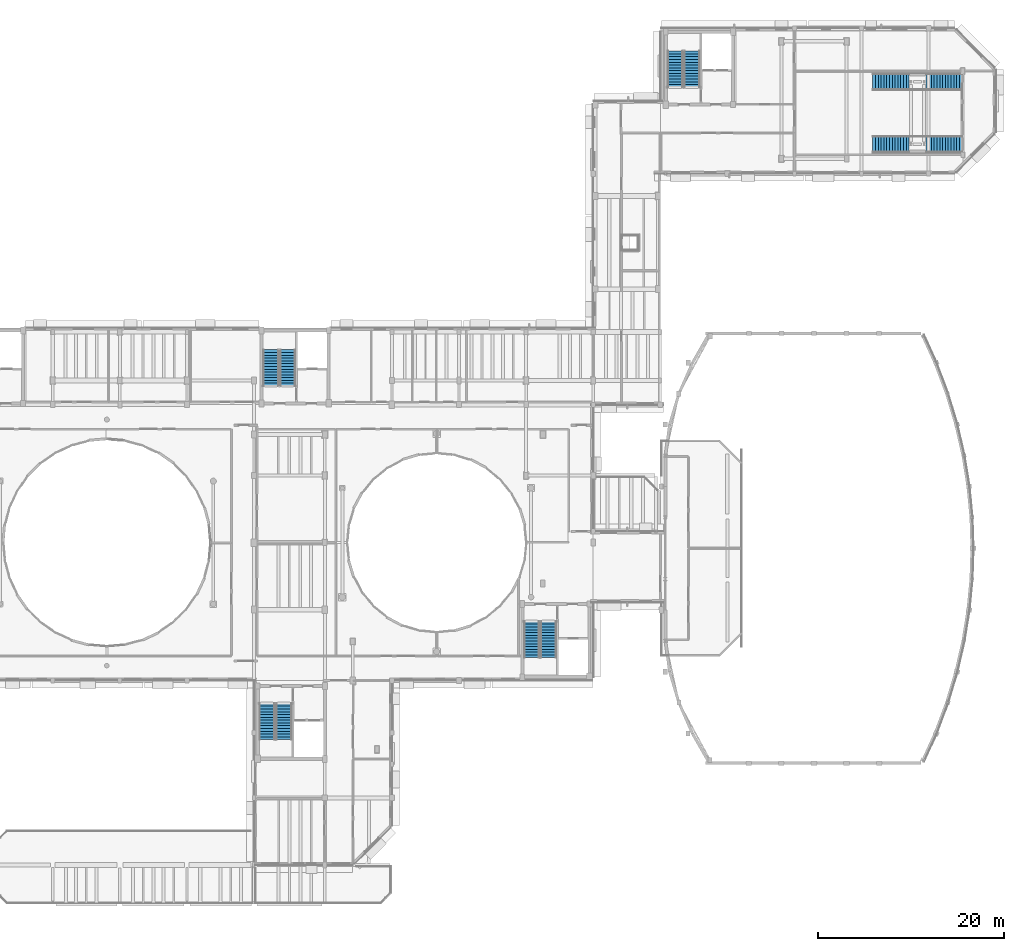
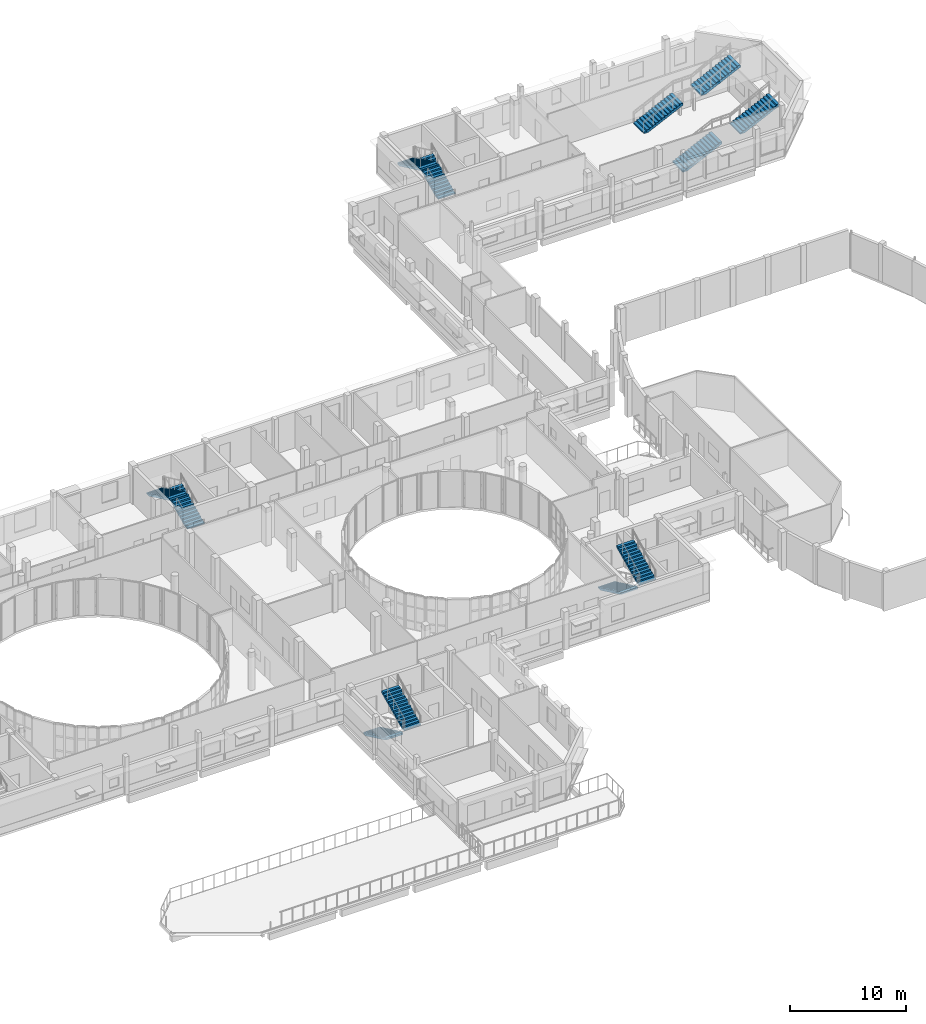
# One storey, part 77 of 92: 12 stair flights, 6 elements without a shape of their own.
"""IFC4 building model written with IfcOpenShell, lengths in metres."""

from ifc_helpers import new_model, si_unit, direction, frame, origin, place, context, subcontext, project, spatial, polyline, outline, extrude, material, type_object, element, aggregate, save


model = new_model("IFC4")

# Units and contexts
model_context = context("Model", 3, precision=1e-05, world=origin(), true_north=direction((0.0, 1.0)))
body_context = subcontext(model_context, "Body", "Model", "MODEL_VIEW")
ifc_project = project(units=[si_unit("LENGTHUNIT", "METRE"), si_unit("AREAUNIT", "SQUARE_METRE"), si_unit("VOLUMEUNIT", "CUBIC_METRE"), si_unit("PLANEANGLEUNIT", "RADIAN"), si_unit("MASSUNIT", "GRAM", prefix="KILO")], contexts=[model_context])

# Site, building, storey
site_placement = place(None, origin())
site = spatial("IfcSite", under=ifc_project, at=site_placement, CompositionType="ELEMENT")
building_placement = place(site_placement, origin())
building = spatial("IfcBuilding", under=site, at=building_placement, Name="Kelanivale Promenade Academy", CompositionType="ELEMENT")
storey_placement = place(building_placement, frame((0.0, 0.0, 8.199951171875)))
storey = spatial("IfcBuildingStorey", under=building, at=storey_placement, Name="L02", CompositionType="ELEMENT", Elevation=8.199951171875)

# Stair, stair flight
ifc_material = material(Name="Concrete C35/45", Category="concrete")
stair_type_1 = type_object("IfcStairType", Name="ST-T02 Protected dog-leg upper-storey stair", PredefinedType="HALF_TURN_STAIR", material=ifc_material)
stair_1_placement = place(storey_placement, origin())
stair_1 = element("IfcStair", 1, at=stair_1_placement, inside=storey, type_object=stair_type_1, Name="L02 ST-01", PredefinedType="HALF_TURN_STAIR")
stair_flight_type_1 = type_object("IfcStairFlightType", Name="SF-T03 Core stair RC flight 14 risers x 142", PredefinedType="STRAIGHT", material=ifc_material)
stair_flight_1_placement = place(storey_placement, frame((80.610107421875, 39.544921875, 0.0), z_axis=(0.0, 0.0, 1.0), x_axis=(0.0, -1.0, 0.0)))
stair_flight_1 = element("IfcStairFlight", 2, at=stair_flight_1_placement, type_object=stair_flight_type_1, Name="ST-01 flight 1", NumberOfRisers=14, NumberOfTreads=13, PredefinedType="STRAIGHT", RiserHeight=0.142857143, TreadLength=0.3, context=body_context, shape_type="SweptSolid", body=[
    extrude(outline(polyline([(0.0, 0.0), (0.0, 0.142822265625), (0.300048828125, 0.142822265625), (0.300048828125, 0.28564453125), (0.60009765625, 0.28564453125), (0.60009765625, 0.428466796875), (0.89990234375, 0.428466796875), (0.89990234375, 0.571533203125), (1.199951171875, 0.571533203125), (1.199951171875, 0.71435546875), (1.5, 0.71435546875), (1.5, 0.857177734375), (1.800048828125, 0.857177734375), (1.800048828125, 1.0), (2.10009765625, 1.0), (2.10009765625, 1.142822265625), (2.39990234375, 1.142822265625), (2.39990234375, 1.28564453125), (2.699951171875, 1.28564453125), (2.699951171875, 1.428466796875), (3.0, 1.428466796875), (3.0, 1.571533203125), (3.300048828125, 1.571533203125), (3.300048828125, 1.71435546875), (3.60009765625, 1.71435546875), (3.60009765625, 1.857177734375), (3.89990234375, 1.857177734375), (3.89990234375, 2.0), (3.89990234375, 1.657958984375), (0.41845703125, 0.0), (0.0, 0.0)])), frame((0.0, 0.844970703125, 0.0), z_axis=(0.0, -1.0, 0.0), x_axis=(1.0, 0.0, 0.0)), (0.0, 0.0, 1.0), 1.68994140625),
])

stair_2_placement = place(storey_placement, origin())
stair_2 = element("IfcStair", 3, at=stair_2_placement, inside=storey, type_object=stair_type_1, Name="L02 ST-02", PredefinedType="HALF_TURN_STAIR")
stair_flight_2_placement = place(storey_placement, frame((82.820068359375, 73.60498046875, 0.0), z_axis=(0.0, 0.0, 1.0), x_axis=(0.0, 1.0, 0.0)))
stair_flight_2 = element("IfcStairFlight", 4, at=stair_flight_2_placement, type_object=stair_flight_type_1, Name="ST-02 flight 1", NumberOfRisers=14, NumberOfTreads=13, PredefinedType="STRAIGHT", RiserHeight=0.142857143, TreadLength=0.3, context=body_context, shape_type="SweptSolid", body=[
    extrude(outline(polyline([(0.0, 0.0), (0.0, 0.142822265625), (0.300048828125, 0.142822265625), (0.300048828125, 0.28564453125), (0.60009765625, 0.28564453125), (0.60009765625, 0.428466796875), (0.89990234375, 0.428466796875), (0.89990234375, 0.571533203125), (1.199951171875, 0.571533203125), (1.199951171875, 0.71435546875), (1.5, 0.71435546875), (1.5, 0.857177734375), (1.800048828125, 0.857177734375), (1.800048828125, 1.0), (2.10009765625, 1.0), (2.10009765625, 1.142822265625), (2.39990234375, 1.142822265625), (2.39990234375, 1.28564453125), (2.699951171875, 1.28564453125), (2.699951171875, 1.428466796875), (3.0, 1.428466796875), (3.0, 1.571533203125), (3.300048828125, 1.571533203125), (3.300048828125, 1.71435546875), (3.60009765625, 1.71435546875), (3.60009765625, 1.857177734375), (3.89990234375, 1.857177734375), (3.89990234375, 2.0), (3.89990234375, 1.657958984375), (0.41845703125, 0.0), (0.0, 0.0)])), frame((0.0, 0.844970703125, 0.0), z_axis=(0.0, -1.0, 0.0), x_axis=(1.0, 0.0, 0.0)), (0.0, 0.0, 1.0), 1.68994140625),
])

stair_3_placement = place(storey_placement, origin())
stair_3 = element("IfcStair", 5, at=stair_3_placement, inside=storey, type_object=stair_type_1, Name="L02 ST-03", PredefinedType="HALF_TURN_STAIR")
stair_flight_3_placement = place(storey_placement, frame((109.010009765625, 48.344970703125, 0.0), z_axis=(0.0, 0.0, 1.0), x_axis=(0.0, -1.0, 0.0)))
stair_flight_3 = element("IfcStairFlight", 6, at=stair_flight_3_placement, type_object=stair_flight_type_1, Name="ST-03 flight 1", NumberOfRisers=14, NumberOfTreads=13, PredefinedType="STRAIGHT", RiserHeight=0.142857143, TreadLength=0.3, context=body_context, shape_type="SweptSolid", body=[
    extrude(outline(polyline([(0.0, 0.0), (0.0, 0.142822265625), (0.300048828125, 0.142822265625), (0.300048828125, 0.28564453125), (0.60009765625, 0.28564453125), (0.60009765625, 0.428466796875), (0.89990234375, 0.428466796875), (0.89990234375, 0.571533203125), (1.199951171875, 0.571533203125), (1.199951171875, 0.71435546875), (1.5, 0.71435546875), (1.5, 0.857177734375), (1.800048828125, 0.857177734375), (1.800048828125, 1.0), (2.10009765625, 1.0), (2.10009765625, 1.142822265625), (2.39990234375, 1.142822265625), (2.39990234375, 1.28564453125), (2.699951171875, 1.28564453125), (2.699951171875, 1.428466796875), (3.0, 1.428466796875), (3.0, 1.571533203125), (3.300048828125, 1.571533203125), (3.300048828125, 1.71435546875), (3.60009765625, 1.71435546875), (3.60009765625, 1.857177734375), (3.89990234375, 1.857177734375), (3.89990234375, 2.0), (3.89990234375, 1.657958984375), (0.41845703125, 0.0), (0.0, 0.0)])), frame((0.0, 0.844970703125, 0.0), z_axis=(0.0, -1.0, 0.0), x_axis=(1.0, 0.0, 0.0)), (0.0, 0.0, 1.0), 1.68994140625),
])

stair_4_placement = place(storey_placement, origin())
stair_4 = element("IfcStair", 7, at=stair_4_placement, inside=storey, type_object=stair_type_1, Name="L02 ST-05", PredefinedType="HALF_TURN_STAIR")
stair_flight_4_placement = place(storey_placement, frame((126.219970703125, 105.655029296875, 0.0), z_axis=(0.0, 0.0, 1.0), x_axis=(0.0, 1.0, 0.0)))
stair_flight_4 = element("IfcStairFlight", 8, at=stair_flight_4_placement, type_object=stair_flight_type_1, Name="ST-05 flight 1", NumberOfRisers=14, NumberOfTreads=13, PredefinedType="STRAIGHT", RiserHeight=0.142857143, TreadLength=0.3, context=body_context, shape_type="SweptSolid", body=[
    extrude(outline(polyline([(0.0, 0.0), (0.0, 0.142822265625), (0.300048828125, 0.142822265625), (0.300048828125, 0.28564453125), (0.60009765625, 0.28564453125), (0.60009765625, 0.428466796875), (0.89990234375, 0.428466796875), (0.89990234375, 0.571533203125), (1.199951171875, 0.571533203125), (1.199951171875, 0.71435546875), (1.5, 0.71435546875), (1.5, 0.857177734375), (1.800048828125, 0.857177734375), (1.800048828125, 1.0), (2.10009765625, 1.0), (2.10009765625, 1.142822265625), (2.39990234375, 1.142822265625), (2.39990234375, 1.28564453125), (2.699951171875, 1.28564453125), (2.699951171875, 1.428466796875), (3.0, 1.428466796875), (3.0, 1.571533203125), (3.300048828125, 1.571533203125), (3.300048828125, 1.71435546875), (3.60009765625, 1.71435546875), (3.60009765625, 1.857177734375), (3.89990234375, 1.857177734375), (3.89990234375, 2.0), (3.89990234375, 1.657958984375), (0.41845703125, 0.0), (0.0, 0.0)])), frame((0.0, 0.844970703125, 0.0), z_axis=(0.0, -1.0, 0.0), x_axis=(1.0, 0.0, 0.0)), (0.0, 0.0, 1.0), 1.68994140625),
])

# Stair flight
stair_flight_type_2 = type_object("IfcStairFlightType", Name="SF-T04 Core stair RC return flight 14 riser", PredefinedType="STRAIGHT", material=ifc_material)
stair_flight_5_placement = place(storey_placement, frame((82.419921875, 35.64501953125, 2.0), z_axis=(0.0, 0.0, 1.0), x_axis=(0.0, 1.0, 0.0)))
stair_flight_5 = element("IfcStairFlight", 9, at=stair_flight_5_placement, type_object=stair_flight_type_2, Name="ST-01 flight 2", NumberOfRisers=14, NumberOfTreads=13, PredefinedType="STRAIGHT", RiserHeight=0.142857143, TreadLength=0.3, context=body_context, shape_type="SweptSolid", body=[
    extrude(outline(polyline([(0.0, 0.0), (0.0, 0.142822265625), (0.300048828125, 0.142822265625), (0.300048828125, 0.28564453125), (0.60009765625, 0.28564453125), (0.60009765625, 0.428466796875), (0.89990234375, 0.428466796875), (0.89990234375, 0.571533203125), (1.199951171875, 0.571533203125), (1.199951171875, 0.71435546875), (1.5, 0.71435546875), (1.5, 0.857177734375), (1.800048828125, 0.857177734375), (1.800048828125, 1.0), (2.10009765625, 1.0), (2.10009765625, 1.142822265625), (2.39990234375, 1.142822265625), (2.39990234375, 1.28564453125), (2.699951171875, 1.28564453125), (2.699951171875, 1.428466796875), (3.0, 1.428466796875), (3.0, 1.571533203125), (3.300048828125, 1.571533203125), (3.300048828125, 1.71435546875), (3.60009765625, 1.71435546875), (3.60009765625, 1.857177734375), (3.89990234375, 1.857177734375), (3.89990234375, 2.0), (3.89990234375, 1.657958984375), (0.41845703125, 0.0), (0.0, 0.0)])), frame((0.0, 0.844970703125, 0.0), z_axis=(0.0, -1.0, 0.0), x_axis=(1.0, 0.0, 0.0)), (0.0, 0.0, 1.0), 1.68994140625),
])

aggregate(stair_1, [stair_flight_1, stair_flight_5])

stair_flight_6_placement = place(storey_placement, frame((81.010009765625, 77.5048828125, 2.0), z_axis=(0.0, 0.0, 1.0), x_axis=(0.0, -1.0, 0.0)))
stair_flight_6 = element("IfcStairFlight", 10, at=stair_flight_6_placement, type_object=stair_flight_type_2, Name="ST-02 flight 2", NumberOfRisers=14, NumberOfTreads=13, PredefinedType="STRAIGHT", RiserHeight=0.142857143, TreadLength=0.3, context=body_context, shape_type="SweptSolid", body=[
    extrude(outline(polyline([(0.0, 0.0), (0.0, 0.142822265625), (0.300048828125, 0.142822265625), (0.300048828125, 0.28564453125), (0.60009765625, 0.28564453125), (0.60009765625, 0.428466796875), (0.89990234375, 0.428466796875), (0.89990234375, 0.571533203125), (1.199951171875, 0.571533203125), (1.199951171875, 0.71435546875), (1.5, 0.71435546875), (1.5, 0.857177734375), (1.800048828125, 0.857177734375), (1.800048828125, 1.0), (2.10009765625, 1.0), (2.10009765625, 1.142822265625), (2.39990234375, 1.142822265625), (2.39990234375, 1.28564453125), (2.699951171875, 1.28564453125), (2.699951171875, 1.428466796875), (3.0, 1.428466796875), (3.0, 1.571533203125), (3.300048828125, 1.571533203125), (3.300048828125, 1.71435546875), (3.60009765625, 1.71435546875), (3.60009765625, 1.857177734375), (3.89990234375, 1.857177734375), (3.89990234375, 2.0), (3.89990234375, 1.657958984375), (0.41845703125, 0.0), (0.0, 0.0)])), frame((0.0, 0.844970703125, 0.0), z_axis=(0.0, -1.0, 0.0), x_axis=(1.0, 0.0, 0.0)), (0.0, 0.0, 1.0), 1.68994140625),
])

aggregate(stair_2, [stair_flight_2, stair_flight_6])

stair_flight_7_placement = place(storey_placement, frame((110.820068359375, 44.445068359375, 2.0), z_axis=(0.0, 0.0, 1.0), x_axis=(0.0, 1.0, 0.0)))
stair_flight_7 = element("IfcStairFlight", 11, at=stair_flight_7_placement, type_object=stair_flight_type_2, Name="ST-03 flight 2", NumberOfRisers=14, NumberOfTreads=13, PredefinedType="STRAIGHT", RiserHeight=0.142857143, TreadLength=0.3, context=body_context, shape_type="SweptSolid", body=[
    extrude(outline(polyline([(0.0, 0.0), (0.0, 0.142822265625), (0.300048828125, 0.142822265625), (0.300048828125, 0.28564453125), (0.60009765625, 0.28564453125), (0.60009765625, 0.428466796875), (0.89990234375, 0.428466796875), (0.89990234375, 0.571533203125), (1.199951171875, 0.571533203125), (1.199951171875, 0.71435546875), (1.5, 0.71435546875), (1.5, 0.857177734375), (1.800048828125, 0.857177734375), (1.800048828125, 1.0), (2.10009765625, 1.0), (2.10009765625, 1.142822265625), (2.39990234375, 1.142822265625), (2.39990234375, 1.28564453125), (2.699951171875, 1.28564453125), (2.699951171875, 1.428466796875), (3.0, 1.428466796875), (3.0, 1.571533203125), (3.300048828125, 1.571533203125), (3.300048828125, 1.71435546875), (3.60009765625, 1.71435546875), (3.60009765625, 1.857177734375), (3.89990234375, 1.857177734375), (3.89990234375, 2.0), (3.89990234375, 1.657958984375), (0.41845703125, 0.0), (0.0, 0.0)])), frame((0.0, 0.844970703125, 0.0), z_axis=(0.0, -1.0, 0.0), x_axis=(1.0, 0.0, 0.0)), (0.0, 0.0, 1.0), 1.68994140625),
])

aggregate(stair_3, [stair_flight_3, stair_flight_7])

stair_flight_8_placement = place(storey_placement, frame((124.409912109375, 109.554931640625, 2.0), z_axis=(0.0, 0.0, 1.0), x_axis=(0.0, -1.0, 0.0)))
stair_flight_8 = element("IfcStairFlight", 12, at=stair_flight_8_placement, type_object=stair_flight_type_2, Name="ST-05 flight 2", NumberOfRisers=14, NumberOfTreads=13, PredefinedType="STRAIGHT", RiserHeight=0.142857143, TreadLength=0.3, context=body_context, shape_type="SweptSolid", body=[
    extrude(outline(polyline([(0.0, 0.0), (0.0, 0.142822265625), (0.300048828125, 0.142822265625), (0.300048828125, 0.28564453125), (0.60009765625, 0.28564453125), (0.60009765625, 0.428466796875), (0.89990234375, 0.428466796875), (0.89990234375, 0.571533203125), (1.199951171875, 0.571533203125), (1.199951171875, 0.71435546875), (1.5, 0.71435546875), (1.5, 0.857177734375), (1.800048828125, 0.857177734375), (1.800048828125, 1.0), (2.10009765625, 1.0), (2.10009765625, 1.142822265625), (2.39990234375, 1.142822265625), (2.39990234375, 1.28564453125), (2.699951171875, 1.28564453125), (2.699951171875, 1.428466796875), (3.0, 1.428466796875), (3.0, 1.571533203125), (3.300048828125, 1.571533203125), (3.300048828125, 1.71435546875), (3.60009765625, 1.71435546875), (3.60009765625, 1.857177734375), (3.89990234375, 1.857177734375), (3.89990234375, 2.0), (3.89990234375, 1.657958984375), (0.41845703125, 0.0), (0.0, 0.0)])), frame((0.0, 0.844970703125, 0.0), z_axis=(0.0, -1.0, 0.0), x_axis=(1.0, 0.0, 0.0)), (0.0, 0.0, 1.0), 1.68994140625),
])

aggregate(stair_4, [stair_flight_4, stair_flight_8])

# Stair, stair flights
stair_type_2 = type_object("IfcStairType", Name="ST-T03 Feature promenade dining and library", PredefinedType="STRAIGHT_RUN_STAIR", material=ifc_material)
stair_5_placement = place(storey_placement, origin())
stair_5 = element("IfcStair", 13, at=stair_5_placement, inside=storey, type_object=stair_type_2, Name="Library Reading Room feature stair ST-07", PredefinedType="STRAIGHT_RUN_STAIR")
stair_flight_type_3 = type_object("IfcStairFlightType", Name="SF-T05 Feature straight RC flight 14 risers", PredefinedType="STRAIGHT", material=ifc_material)
stair_flight_9_placement = place(storey_placement, frame((145.60009765625, 99.550048828125, 0.0), z_axis=(0.0, 0.0, 1.0), x_axis=(1.0, 0.0, 0.0)))
stair_flight_9 = element("IfcStairFlight", 14, at=stair_flight_9_placement, type_object=stair_flight_type_3, Name="ST-07 flight 1", NumberOfRisers=14, NumberOfTreads=13, PredefinedType="STRAIGHT", RiserHeight=0.142857143, TreadLength=0.3, context=body_context, shape_type="SweptSolid", body=[
    extrude(outline(polyline([(0.0, 0.0), (0.0, 0.142822265625), (0.300048828125, 0.142822265625), (0.300048828125, 0.28564453125), (0.60009765625, 0.28564453125), (0.60009765625, 0.428466796875), (0.89990234375, 0.428466796875), (0.89990234375, 0.571533203125), (1.199951171875, 0.571533203125), (1.199951171875, 0.71435546875), (1.5, 0.71435546875), (1.5, 0.857177734375), (1.800048828125, 0.857177734375), (1.800048828125, 1.0), (2.10009765625, 1.0), (2.10009765625, 1.142822265625), (2.39990234375, 1.142822265625), (2.39990234375, 1.28564453125), (2.699951171875, 1.28564453125), (2.699951171875, 1.428466796875), (3.0, 1.428466796875), (3.0, 1.571533203125), (3.300048828125, 1.571533203125), (3.300048828125, 1.71435546875), (3.60009765625, 1.71435546875), (3.60009765625, 1.857177734375), (3.89990234375, 1.857177734375), (3.89990234375, 2.0), (3.89990234375, 1.6357421875), (0.465087890625, 0.0), (0.0, 0.0)])), frame((0.0, 0.89990234375, 0.0), z_axis=(0.0, -1.0, 0.0), x_axis=(1.0, 0.0, 0.0)), (0.0, 0.0, 1.0), 1.800048828125),
])
stair_flight_10_placement = place(storey_placement, frame((151.300048828125, 99.550048828125, 2.0), z_axis=(0.0, 0.0, 1.0), x_axis=(1.0, 0.0, 0.0)))
stair_flight_10 = element("IfcStairFlight", 15, at=stair_flight_10_placement, type_object=stair_flight_type_3, Name="ST-07 flight 2", NumberOfRisers=14, NumberOfTreads=13, PredefinedType="STRAIGHT", RiserHeight=0.142857143, TreadLength=0.3, context=body_context, shape_type="SweptSolid", body=[
    extrude(outline(polyline([(0.0, 0.0), (0.0, 0.142822265625), (0.300048828125, 0.142822265625), (0.300048828125, 0.28564453125), (0.60009765625, 0.28564453125), (0.60009765625, 0.428466796875), (0.89990234375, 0.428466796875), (0.89990234375, 0.571533203125), (1.199951171875, 0.571533203125), (1.199951171875, 0.71435546875), (1.5, 0.71435546875), (1.5, 0.857177734375), (1.800048828125, 0.857177734375), (1.800048828125, 1.0), (2.10009765625, 1.0), (2.10009765625, 1.142822265625), (2.39990234375, 1.142822265625), (2.39990234375, 1.28564453125), (2.699951171875, 1.28564453125), (2.699951171875, 1.428466796875), (3.0, 1.428466796875), (3.0, 1.571533203125), (3.300048828125, 1.571533203125), (3.300048828125, 1.71435546875), (3.60009765625, 1.71435546875), (3.60009765625, 1.857177734375), (3.89990234375, 1.857177734375), (3.89990234375, 2.0), (3.89990234375, 1.6357421875), (0.465087890625, 0.0), (0.0, 0.0)])), frame((0.0, 0.89990234375, 0.0), z_axis=(0.0, -1.0, 0.0), x_axis=(1.0, 0.0, 0.0)), (0.0, 0.0, 1.0), 1.800048828125),
])
aggregate(stair_5, [stair_flight_9, stair_flight_10])

stair_6_placement = place(storey_placement, origin())
stair_6 = element("IfcStair", 16, at=stair_6_placement, inside=storey, type_object=stair_type_2, Name="Library Reading Room feature stair ST-08", PredefinedType="STRAIGHT_RUN_STAIR")
stair_flight_11_placement = place(storey_placement, frame((145.60009765625, 106.25, 0.0), z_axis=(0.0, 0.0, 1.0), x_axis=(1.0, 0.0, 0.0)))
stair_flight_11 = element("IfcStairFlight", 17, at=stair_flight_11_placement, type_object=stair_flight_type_3, Name="ST-08 flight 1", NumberOfRisers=14, NumberOfTreads=13, PredefinedType="STRAIGHT", RiserHeight=0.142857143, TreadLength=0.3, context=body_context, shape_type="SweptSolid", body=[
    extrude(outline(polyline([(0.0, 0.0), (0.0, 0.142822265625), (0.300048828125, 0.142822265625), (0.300048828125, 0.28564453125), (0.60009765625, 0.28564453125), (0.60009765625, 0.428466796875), (0.89990234375, 0.428466796875), (0.89990234375, 0.571533203125), (1.199951171875, 0.571533203125), (1.199951171875, 0.71435546875), (1.5, 0.71435546875), (1.5, 0.857177734375), (1.800048828125, 0.857177734375), (1.800048828125, 1.0), (2.10009765625, 1.0), (2.10009765625, 1.142822265625), (2.39990234375, 1.142822265625), (2.39990234375, 1.28564453125), (2.699951171875, 1.28564453125), (2.699951171875, 1.428466796875), (3.0, 1.428466796875), (3.0, 1.571533203125), (3.300048828125, 1.571533203125), (3.300048828125, 1.71435546875), (3.60009765625, 1.71435546875), (3.60009765625, 1.857177734375), (3.89990234375, 1.857177734375), (3.89990234375, 2.0), (3.89990234375, 1.6357421875), (0.465087890625, 0.0), (0.0, 0.0)])), frame((0.0, 0.89990234375, 0.0), z_axis=(0.0, -1.0, 0.0), x_axis=(1.0, 0.0, 0.0)), (0.0, 0.0, 1.0), 1.800048828125),
])
stair_flight_12_placement = place(storey_placement, frame((151.300048828125, 106.25, 2.0), z_axis=(0.0, 0.0, 1.0), x_axis=(1.0, 0.0, 0.0)))
stair_flight_12 = element("IfcStairFlight", 18, at=stair_flight_12_placement, type_object=stair_flight_type_3, Name="ST-08 flight 2", NumberOfRisers=14, NumberOfTreads=13, PredefinedType="STRAIGHT", RiserHeight=0.142857143, TreadLength=0.3, context=body_context, shape_type="SweptSolid", body=[
    extrude(outline(polyline([(0.0, 0.0), (0.0, 0.142822265625), (0.300048828125, 0.142822265625), (0.300048828125, 0.28564453125), (0.60009765625, 0.28564453125), (0.60009765625, 0.428466796875), (0.89990234375, 0.428466796875), (0.89990234375, 0.571533203125), (1.199951171875, 0.571533203125), (1.199951171875, 0.71435546875), (1.5, 0.71435546875), (1.5, 0.857177734375), (1.800048828125, 0.857177734375), (1.800048828125, 1.0), (2.10009765625, 1.0), (2.10009765625, 1.142822265625), (2.39990234375, 1.142822265625), (2.39990234375, 1.28564453125), (2.699951171875, 1.28564453125), (2.699951171875, 1.428466796875), (3.0, 1.428466796875), (3.0, 1.571533203125), (3.300048828125, 1.571533203125), (3.300048828125, 1.71435546875), (3.60009765625, 1.71435546875), (3.60009765625, 1.857177734375), (3.89990234375, 1.857177734375), (3.89990234375, 2.0), (3.89990234375, 1.6357421875), (0.465087890625, 0.0), (0.0, 0.0)])), frame((0.0, 0.89990234375, 0.0), z_axis=(0.0, -1.0, 0.0), x_axis=(1.0, 0.0, 0.0)), (0.0, 0.0, 1.0), 1.800048828125),
])
aggregate(stair_6, [stair_flight_11, stair_flight_12])

save(model, "model.ifc")
